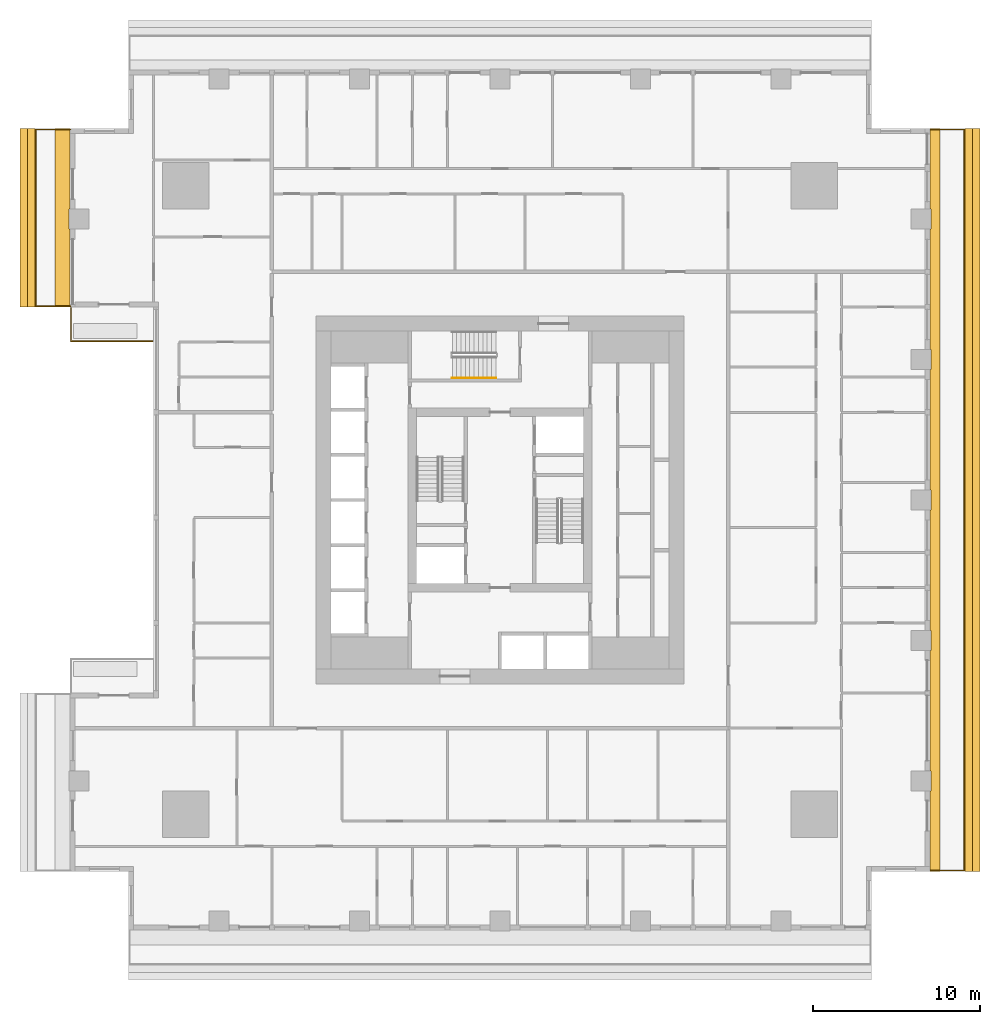
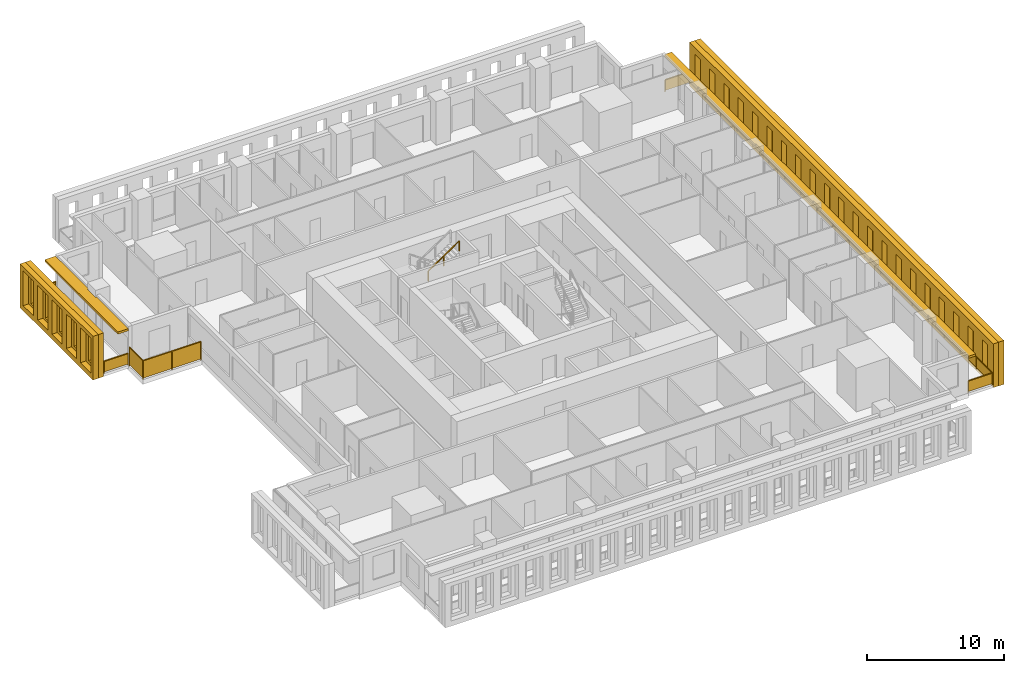
# One storey, part 12 of 14: 6 shading devices, 4 railings.
"""IFC4 building model written with IfcOpenShell, lengths in metres."""

from ifc_helpers import new_model, si_unit, direction, frame, origin, origin_2d, place, context, subcontext, project, spatial, polyline, rectangle, outline, extrude, material, layer, layer_set, type_object, element, save


model = new_model("IFC4")

# Units and contexts
model_context = context("Model", 3, precision=1e-05, world=origin(), true_north=direction((0.0, 1.0)))
body_context = subcontext(model_context, "Body", "Model", "MODEL_VIEW")
ifc_project = project(units=[si_unit("LENGTHUNIT", "METRE"), si_unit("AREAUNIT", "SQUARE_METRE"), si_unit("VOLUMEUNIT", "CUBIC_METRE"), si_unit("PLANEANGLEUNIT", "RADIAN"), si_unit("MASSUNIT", "GRAM", prefix="KILO")], contexts=[model_context])

# Site, building, storey
site_placement = place(None, origin())
site = spatial("IfcSite", under=ifc_project, at=site_placement, CompositionType="ELEMENT")
building_placement = place(site_placement, origin())
building = spatial("IfcBuilding", under=site, at=building_placement, Name="Khepri Terraces", CompositionType="ELEMENT")
storey_placement = place(building_placement, frame((0.0, 0.0, 110.39990234375)))
storey = spatial("IfcBuildingStorey", under=building, at=storey_placement, Name="L26", CompositionType="ELEMENT", Elevation=110.39990234375)

# Railings
ifc_material_1 = material(Name="Stainless steel grade 316", Category="steel")
railing_type_1 = type_object("IfcRailingType", Name="GRD-BAL-1100", PredefinedType="GUARDRAIL", material=ifc_material_1)
railing_1_placement = place(storey_placement, frame((25.719970703125, -22.169921875, 0.0)))
element("IfcRailing", 1, at=railing_1_placement, inside=storey, type_object=railing_type_1, Name="Balcony guard L26 E", PredefinedType="GUARDRAIL", context=body_context, shape_type="SweptSolid", body=[
    extrude(rectangle(XDim=0.050048828125, YDim=0.06005859375, at=origin_2d()), frame((0.0, 0.0, 1.070068359375), z_axis=(1.0, 0.0, 0.0), x_axis=(0.0, 1.0, 0.0)), (0.0, 0.0, 1.0), 2.050048828125),
    extrude(rectangle(XDim=2.0, YDim=0.011962890625, at=origin_2d()), frame((1.02490234375, 0.0, 0.10009765625), z_axis=(0.0, 0.0, 1.0), x_axis=(1.0, 0.0, 0.0)), (0.0, 0.0, 1.0), 0.93994140625),
    extrude(rectangle(XDim=0.050048828125, YDim=0.06005859375, at=origin_2d()), frame((2.050048828125, 0.0, 1.070068359375), z_axis=(0.0, 1.0, 0.0), x_axis=(-1.0, 0.0, 0.0)), (0.0, 0.0, 1.0), 44.33984375),
    extrude(rectangle(XDim=2.28369140625, YDim=0.011962890625, at=origin_2d()), frame((2.050048828125, 1.166748046875, 0.10009765625), z_axis=(0.0, 0.0, 1.0), x_axis=(0.0, 1.0, 0.0)), (0.0, 0.0, 1.0), 0.93994140625),
    extrude(rectangle(XDim=2.28369140625, YDim=0.011962890625, at=origin_2d()), frame((2.050048828125, 3.50048828125, 0.10009765625), z_axis=(0.0, 0.0, 1.0), x_axis=(0.0, 1.0, 0.0)), (0.0, 0.0, 1.0), 0.93994140625),
    extrude(rectangle(XDim=2.28369140625, YDim=0.011962890625, at=origin_2d()), frame((2.050048828125, 5.834228515625, 0.10009765625), z_axis=(0.0, 0.0, 1.0), x_axis=(0.0, 1.0, 0.0)), (0.0, 0.0, 1.0), 0.93994140625),
    extrude(rectangle(XDim=2.28369140625, YDim=0.011962890625, at=origin_2d()), frame((2.050048828125, 8.16796875, 0.10009765625), z_axis=(0.0, 0.0, 1.0), x_axis=(0.0, 1.0, 0.0)), (0.0, 0.0, 1.0), 0.93994140625),
    extrude(rectangle(XDim=2.28369140625, YDim=0.011962890625, at=origin_2d()), frame((2.050048828125, 10.50146484375, 0.10009765625), z_axis=(0.0, 0.0, 1.0), x_axis=(0.0, 1.0, 0.0)), (0.0, 0.0, 1.0), 0.93994140625),
    extrude(rectangle(XDim=2.28369140625, YDim=0.011962890625, at=origin_2d()), frame((2.050048828125, 12.835205078125, 0.10009765625), z_axis=(0.0, 0.0, 1.0), x_axis=(0.0, 1.0, 0.0)), (0.0, 0.0, 1.0), 0.93994140625),
    extrude(rectangle(XDim=2.28369140625, YDim=0.011962890625, at=origin_2d()), frame((2.050048828125, 15.1689453125, 0.10009765625), z_axis=(0.0, 0.0, 1.0), x_axis=(0.0, 1.0, 0.0)), (0.0, 0.0, 1.0), 0.93994140625),
    extrude(rectangle(XDim=2.28369140625, YDim=0.011962890625, at=origin_2d()), frame((2.050048828125, 17.502685546875, 0.10009765625), z_axis=(0.0, 0.0, 1.0), x_axis=(0.0, 1.0, 0.0)), (0.0, 0.0, 1.0), 0.93994140625),
    extrude(rectangle(XDim=2.28369140625, YDim=0.011962890625, at=origin_2d()), frame((2.050048828125, 19.836181640625, 0.10009765625), z_axis=(0.0, 0.0, 1.0), x_axis=(0.0, 1.0, 0.0)), (0.0, 0.0, 1.0), 0.93994140625),
    extrude(rectangle(XDim=2.28369140625, YDim=0.011962890625, at=origin_2d()), frame((2.050048828125, 22.169921875, 0.10009765625), z_axis=(0.0, 0.0, 1.0), x_axis=(0.0, 1.0, 0.0)), (0.0, 0.0, 1.0), 0.93994140625),
    extrude(rectangle(XDim=2.28369140625, YDim=0.011962890625, at=origin_2d()), frame((2.050048828125, 24.503662109375, 0.10009765625), z_axis=(0.0, 0.0, 1.0), x_axis=(0.0, 1.0, 0.0)), (0.0, 0.0, 1.0), 0.93994140625),
    extrude(rectangle(XDim=2.28369140625, YDim=0.011962890625, at=origin_2d()), frame((2.050048828125, 26.837158203125, 0.10009765625), z_axis=(0.0, 0.0, 1.0), x_axis=(0.0, 1.0, 0.0)), (0.0, 0.0, 1.0), 0.93994140625),
    extrude(rectangle(XDim=2.28369140625, YDim=0.011962890625, at=origin_2d()), frame((2.050048828125, 29.1708984375, 0.10009765625), z_axis=(0.0, 0.0, 1.0), x_axis=(0.0, 1.0, 0.0)), (0.0, 0.0, 1.0), 0.93994140625),
    extrude(rectangle(XDim=2.28369140625, YDim=0.011962890625, at=origin_2d()), frame((2.050048828125, 31.504638671875, 0.10009765625), z_axis=(0.0, 0.0, 1.0), x_axis=(0.0, 1.0, 0.0)), (0.0, 0.0, 1.0), 0.93994140625),
    extrude(rectangle(XDim=2.28369140625, YDim=0.011962890625, at=origin_2d()), frame((2.050048828125, 33.83837890625, 0.10009765625), z_axis=(0.0, 0.0, 1.0), x_axis=(0.0, 1.0, 0.0)), (0.0, 0.0, 1.0), 0.93994140625),
    extrude(rectangle(XDim=2.28369140625, YDim=0.011962890625, at=origin_2d()), frame((2.050048828125, 36.171875, 0.10009765625), z_axis=(0.0, 0.0, 1.0), x_axis=(0.0, 1.0, 0.0)), (0.0, 0.0, 1.0), 0.93994140625),
    extrude(rectangle(XDim=2.28369140625, YDim=0.011962890625, at=origin_2d()), frame((2.050048828125, 38.505615234375, 0.10009765625), z_axis=(0.0, 0.0, 1.0), x_axis=(0.0, 1.0, 0.0)), (0.0, 0.0, 1.0), 0.93994140625),
    extrude(rectangle(XDim=2.28369140625, YDim=0.011962890625, at=origin_2d()), frame((2.050048828125, 40.83935546875, 0.10009765625), z_axis=(0.0, 0.0, 1.0), x_axis=(0.0, 1.0, 0.0)), (0.0, 0.0, 1.0), 0.93994140625),
    extrude(rectangle(XDim=2.28369140625, YDim=0.011962890625, at=origin_2d()), frame((2.050048828125, 43.173095703125, 0.10009765625), z_axis=(0.0, 0.0, 1.0), x_axis=(0.0, 1.0, 0.0)), (0.0, 0.0, 1.0), 0.93994140625),
    extrude(rectangle(XDim=0.050048828125, YDim=0.06005859375, at=origin_2d()), frame((2.050048828125, 44.33984375, 1.070068359375), z_axis=(-1.0, 0.0, 0.0), x_axis=(0.0, -1.0, 0.0)), (0.0, 0.0, 1.0), 2.050048828125),
    extrude(rectangle(XDim=2.0, YDim=0.011962890625, at=origin_2d()), frame((1.02490234375, 44.33984375, 0.10009765625), z_axis=(0.0, 0.0, 1.0), x_axis=(-1.0, 0.0, 0.0)), (0.0, 0.0, 1.0), 0.93994140625),
    extrude(rectangle(XDim=0.050048828125, YDim=0.050048828125, at=origin_2d()), origin(), (0.0, 0.0, 1.0), 1.0400390625),
    extrude(rectangle(XDim=0.050048828125, YDim=0.050048828125, at=origin_2d()), frame((2.050048828125, 0.0, 0.0)), (0.0, 0.0, 1.0), 1.0400390625),
    extrude(rectangle(XDim=0.050048828125, YDim=0.050048828125, at=origin_2d()), frame((2.050048828125, 2.333740234375, 0.0)), (0.0, 0.0, 1.0), 1.0400390625),
    extrude(rectangle(XDim=0.050048828125, YDim=0.050048828125, at=origin_2d()), frame((2.050048828125, 4.667236328125, 0.0)), (0.0, 0.0, 1.0), 1.0400390625),
    extrude(rectangle(XDim=0.050048828125, YDim=0.050048828125, at=origin_2d()), frame((2.050048828125, 7.0009765625, 0.0)), (0.0, 0.0, 1.0), 1.0400390625),
    extrude(rectangle(XDim=0.050048828125, YDim=0.050048828125, at=origin_2d()), frame((2.050048828125, 9.334716796875, 0.0)), (0.0, 0.0, 1.0), 1.0400390625),
    extrude(rectangle(XDim=0.050048828125, YDim=0.050048828125, at=origin_2d()), frame((2.050048828125, 11.66845703125, 0.0)), (0.0, 0.0, 1.0), 1.0400390625),
    extrude(rectangle(XDim=0.050048828125, YDim=0.050048828125, at=origin_2d()), frame((2.050048828125, 14.001953125, 0.0)), (0.0, 0.0, 1.0), 1.0400390625),
    extrude(rectangle(XDim=0.050048828125, YDim=0.050048828125, at=origin_2d()), frame((2.050048828125, 16.335693359375, 0.0)), (0.0, 0.0, 1.0), 1.0400390625),
    extrude(rectangle(XDim=0.050048828125, YDim=0.050048828125, at=origin_2d()), frame((2.050048828125, 18.66943359375, 0.0)), (0.0, 0.0, 1.0), 1.0400390625),
    extrude(rectangle(XDim=0.050048828125, YDim=0.050048828125, at=origin_2d()), frame((2.050048828125, 21.003173828125, 0.0)), (0.0, 0.0, 1.0), 1.0400390625),
    extrude(rectangle(XDim=0.050048828125, YDim=0.050048828125, at=origin_2d()), frame((2.050048828125, 23.336669921875, 0.0)), (0.0, 0.0, 1.0), 1.0400390625),
    extrude(rectangle(XDim=0.050048828125, YDim=0.050048828125, at=origin_2d()), frame((2.050048828125, 25.67041015625, 0.0)), (0.0, 0.0, 1.0), 1.0400390625),
    extrude(rectangle(XDim=0.050048828125, YDim=0.050048828125, at=origin_2d()), frame((2.050048828125, 28.004150390625, 0.0)), (0.0, 0.0, 1.0), 1.0400390625),
    extrude(rectangle(XDim=0.050048828125, YDim=0.050048828125, at=origin_2d()), frame((2.050048828125, 30.337890625, 0.0)), (0.0, 0.0, 1.0), 1.0400390625),
    extrude(rectangle(XDim=0.050048828125, YDim=0.050048828125, at=origin_2d()), frame((2.050048828125, 32.67138671875, 0.0)), (0.0, 0.0, 1.0), 1.0400390625),
    extrude(rectangle(XDim=0.050048828125, YDim=0.050048828125, at=origin_2d()), frame((2.050048828125, 35.005126953125, 0.0)), (0.0, 0.0, 1.0), 1.0400390625),
    extrude(rectangle(XDim=0.050048828125, YDim=0.050048828125, at=origin_2d()), frame((2.050048828125, 37.3388671875, 0.0)), (0.0, 0.0, 1.0), 1.0400390625),
    extrude(rectangle(XDim=0.050048828125, YDim=0.050048828125, at=origin_2d()), frame((2.050048828125, 39.672607421875, 0.0)), (0.0, 0.0, 1.0), 1.0400390625),
    extrude(rectangle(XDim=0.050048828125, YDim=0.050048828125, at=origin_2d()), frame((2.050048828125, 42.006103515625, 0.0)), (0.0, 0.0, 1.0), 1.0400390625),
    extrude(rectangle(XDim=0.050048828125, YDim=0.050048828125, at=origin_2d()), frame((2.050048828125, 44.33984375, 0.0)), (0.0, 0.0, 1.0), 1.0400390625),
    extrude(rectangle(XDim=0.050048828125, YDim=0.050048828125, at=origin_2d()), frame((0.0, 44.33984375, 0.0)), (0.0, 0.0, 1.0), 1.0400390625),
])
railing_2_placement = place(storey_placement, frame((-25.719970703125, 22.169921875, 0.0)))
element("IfcRailing", 2, at=railing_2_placement, inside=storey, type_object=railing_type_1, Name="Balcony guard L26 W", PredefinedType="GUARDRAIL", context=body_context, shape_type="SweptSolid", body=[
    extrude(rectangle(XDim=0.050048828125, YDim=0.06005859375, at=origin_2d()), frame((0.0, 0.0, 1.070068359375), z_axis=(-1.0, 0.0, 0.0), x_axis=(0.0, -1.0, 0.0)), (0.0, 0.0, 1.0), 2.050048828125),
    extrude(rectangle(XDim=2.0, YDim=0.011962890625, at=origin_2d()), frame((-1.02490234375, 0.0, 0.10009765625), z_axis=(0.0, 0.0, 1.0), x_axis=(-1.0, 0.0, 0.0)), (0.0, 0.0, 1.0), 0.93994140625),
    extrude(rectangle(XDim=0.050048828125, YDim=0.06005859375, at=origin_2d()), frame((-2.050048828125, 0.0, 1.070068359375), z_axis=(0.0, -1.0, 0.0), x_axis=(1.0, 0.0, 0.0)), (0.0, 0.0, 1.0), 10.56982421875),
    extrude(rectangle(XDim=2.06396484375, YDim=0.011962890625, at=origin_2d()), frame((-2.050048828125, -1.056884765625, 0.10009765625), z_axis=(0.0, 0.0, 1.0), x_axis=(0.0, -1.0, 0.0)), (0.0, 0.0, 1.0), 0.93994140625),
    extrude(rectangle(XDim=2.06396484375, YDim=0.011962890625, at=origin_2d()), frame((-2.050048828125, -3.1708984375, 0.10009765625), z_axis=(0.0, 0.0, 1.0), x_axis=(0.0, -1.0, 0.0)), (0.0, 0.0, 1.0), 0.93994140625),
    extrude(rectangle(XDim=2.06396484375, YDim=0.011962890625, at=origin_2d()), frame((-2.050048828125, -5.284912109375, 0.10009765625), z_axis=(0.0, 0.0, 1.0), x_axis=(0.0, -1.0, 0.0)), (0.0, 0.0, 1.0), 0.93994140625),
    extrude(rectangle(XDim=2.06396484375, YDim=0.011962890625, at=origin_2d()), frame((-2.050048828125, -7.39892578125, 0.10009765625), z_axis=(0.0, 0.0, 1.0), x_axis=(0.0, -1.0, 0.0)), (0.0, 0.0, 1.0), 0.93994140625),
    extrude(rectangle(XDim=2.06396484375, YDim=0.011962890625, at=origin_2d()), frame((-2.050048828125, -9.512939453125, 0.10009765625), z_axis=(0.0, 0.0, 1.0), x_axis=(0.0, -1.0, 0.0)), (0.0, 0.0, 1.0), 0.93994140625),
    extrude(rectangle(XDim=0.050048828125, YDim=0.06005859375, at=origin_2d()), frame((-2.050048828125, -10.56982421875, 1.070068359375), z_axis=(1.0, 0.0, 0.0), x_axis=(0.0, 1.0, 0.0)), (0.0, 0.0, 1.0), 2.050048828125),
    extrude(rectangle(XDim=2.0, YDim=0.011962890625, at=origin_2d()), frame((-1.02490234375, -10.56982421875, 0.10009765625), z_axis=(0.0, 0.0, 1.0), x_axis=(1.0, 0.0, 0.0)), (0.0, 0.0, 1.0), 0.93994140625),
    extrude(rectangle(XDim=0.050048828125, YDim=0.050048828125, at=origin_2d()), origin(), (0.0, 0.0, 1.0), 1.0400390625),
    extrude(rectangle(XDim=0.050048828125, YDim=0.050048828125, at=origin_2d()), frame((-2.050048828125, 0.0, 0.0)), (0.0, 0.0, 1.0), 1.0400390625),
    extrude(rectangle(XDim=0.050048828125, YDim=0.050048828125, at=origin_2d()), frame((-2.050048828125, -2.114013671875, 0.0)), (0.0, 0.0, 1.0), 1.0400390625),
    extrude(rectangle(XDim=0.050048828125, YDim=0.050048828125, at=origin_2d()), frame((-2.050048828125, -4.22802734375, 0.0)), (0.0, 0.0, 1.0), 1.0400390625),
    extrude(rectangle(XDim=0.050048828125, YDim=0.050048828125, at=origin_2d()), frame((-2.050048828125, -6.341796875, 0.0)), (0.0, 0.0, 1.0), 1.0400390625),
    extrude(rectangle(XDim=0.050048828125, YDim=0.050048828125, at=origin_2d()), frame((-2.050048828125, -8.455810546875, 0.0)), (0.0, 0.0, 1.0), 1.0400390625),
    extrude(rectangle(XDim=0.050048828125, YDim=0.050048828125, at=origin_2d()), frame((-2.050048828125, -10.56982421875, 0.0)), (0.0, 0.0, 1.0), 1.0400390625),
    extrude(rectangle(XDim=0.050048828125, YDim=0.050048828125, at=origin_2d()), frame((0.0, -10.56982421875, 0.0)), (0.0, 0.0, 1.0), 1.0400390625),
])
railing_type_2 = type_object("IfcRailingType", Name="GRD-TERR-1700", PredefinedType="GUARDRAIL", material=ifc_material_1)
railing_3_placement = place(storey_placement, frame((-20.7900390625, 9.5, 0.0)))
element("IfcRailing", 3, at=railing_3_placement, inside=storey, type_object=railing_type_2, Name="Terrace guard L26", PredefinedType="GUARDRAIL", context=body_context, shape_type="SweptSolid", body=[
    extrude(rectangle(XDim=0.050048828125, YDim=0.06005859375, at=origin_2d()), frame((0.0, 0.0, 1.669921875), z_axis=(-1.0, 0.0, 0.0), x_axis=(0.0, -1.0, 0.0)), (0.0, 0.0, 1.0), 4.8798828125),
    extrude(rectangle(XDim=2.389892578125, YDim=0.011962890625, at=origin_2d()), frame((-1.219970703125, 0.0, 0.10009765625), z_axis=(0.0, 0.0, 1.0), x_axis=(-1.0, 0.0, 0.0)), (0.0, 0.0, 1.0), 1.539794921875),
    extrude(rectangle(XDim=2.389892578125, YDim=0.011962890625, at=origin_2d()), frame((-3.659912109375, 0.0, 0.10009765625), z_axis=(0.0, 0.0, 1.0), x_axis=(-1.0, 0.0, 0.0)), (0.0, 0.0, 1.0), 1.539794921875),
    extrude(rectangle(XDim=0.050048828125, YDim=0.06005859375, at=origin_2d()), frame((-4.8798828125, 0.0, 1.669921875), z_axis=(0.0, 1.0, 0.0), x_axis=(-1.0, 0.0, 0.0)), (0.0, 0.0, 1.0), 1.97998046875),
    extrude(rectangle(XDim=1.929931640625, YDim=0.011962890625, at=origin_2d()), frame((-4.8798828125, 0.989990234375, 0.10009765625), z_axis=(0.0, 0.0, 1.0), x_axis=(0.0, 1.0, 0.0)), (0.0, 0.0, 1.0), 1.539794921875),
    extrude(rectangle(XDim=0.050048828125, YDim=0.050048828125, at=origin_2d()), origin(), (0.0, 0.0, 1.0), 1.639892578125),
    extrude(rectangle(XDim=0.050048828125, YDim=0.050048828125, at=origin_2d()), frame((-2.43994140625, 0.0, 0.0)), (0.0, 0.0, 1.0), 1.639892578125),
    extrude(rectangle(XDim=0.050048828125, YDim=0.050048828125, at=origin_2d()), frame((-4.8798828125, 0.0, 0.0)), (0.0, 0.0, 1.0), 1.639892578125),
    extrude(rectangle(XDim=0.050048828125, YDim=0.050048828125, at=origin_2d()), frame((-4.8798828125, 1.97998046875, 0.0)), (0.0, 0.0, 1.0), 1.639892578125),
])
ifc_material_2 = material(Name="Stainless steel 316", Category="steel")
railing_type_3 = type_object("IfcRailingType", Name="RL-CORE-HANDRAIL", PredefinedType="HANDRAIL", material=ifc_material_2)
railing_4_placement = place(storey_placement, frame((-2.85009765625, 7.300048828125, 2.12744140625)))
element("IfcRailing", 4, at=railing_4_placement, inside=storey, type_object=railing_type_3, Name="L26 ST-3 stair handrail 2", PredefinedType="HANDRAIL", context=body_context, shape_type="SweptSolid", body=[
    extrude(rectangle(XDim=0.050048828125, YDim=0.050048828125, at=origin_2d()), frame((0.0, 0.0, 0.875), z_axis=(0.826240473404, 0.0, 0.563317565952), x_axis=(0.0, 1.0, 0.0)), (0.0, 0.0, 1.0), 3.14697265625),
    extrude(rectangle(XDim=0.050048828125, YDim=0.050048828125, at=origin_2d()), origin(), (0.0, 0.0, 1.0), 0.849853515625),
    extrude(rectangle(XDim=0.050048828125, YDim=0.050048828125, at=origin_2d()), frame((1.300048828125, 0.0, 0.88623046875)), (0.0, 0.0, 1.0), 0.849853515625),
    extrude(rectangle(XDim=0.050048828125, YDim=0.050048828125, at=origin_2d()), frame((2.60009765625, 0.0, 1.772705078125)), (0.0, 0.0, 1.0), 0.849853515625),
])

# Shading devices
ifc_material_3 = material(Name="Precast concrete C50/60 warm stone", Category="masonry")
shading_device_type_1 = type_object("IfcShadingDeviceType", Name="SCR-CELL-INNER-450", PredefinedType="USERDEFINED", material=ifc_material_3)
shading_device_1_placement = place(storey_placement, frame((27.820068359375, -22.219970703125, -0.25), z_axis=(1.0, 0.0, 0.0), x_axis=(0.0, 1.0, 0.0)))
element("IfcShadingDevice", 5, at=shading_device_1_placement, inside=storey, type_object=shading_device_type_1, Name="Cell screen L26 E in", ObjectType="SCREEN", PredefinedType="USERDEFINED", context=body_context, shape_type="SweptSolid", body=[
    extrude(outline(polyline([(0.0, 0.0), (44.43994140625, 0.0), (44.43994140625, 3.89990234375), (0.0, 3.89990234375), (0.0, 0.0)]), holes=[polyline([(0.818359375, 0.699951171875), (1.62158203125, 0.699951171875), (1.62158203125, 3.300048828125), (0.818359375, 3.300048828125), (0.818359375, 0.699951171875)]), polyline([(2.91845703125, 0.699951171875), (3.7216796875, 0.699951171875), (3.7216796875, 3.300048828125), (2.91845703125, 3.300048828125), (2.91845703125, 0.699951171875)]), polyline([(5.018310546875, 0.699951171875), (5.821533203125, 0.699951171875), (5.821533203125, 3.300048828125), (5.018310546875, 3.300048828125), (5.018310546875, 0.699951171875)]), polyline([(7.118408203125, 0.699951171875), (7.921630859375, 0.699951171875), (7.921630859375, 3.300048828125), (7.118408203125, 3.300048828125), (7.118408203125, 0.699951171875)]), polyline([(9.218505859375, 0.699951171875), (10.021484375, 0.699951171875), (10.021484375, 3.300048828125), (9.218505859375, 3.300048828125), (9.218505859375, 0.699951171875)]), polyline([(11.318359375, 0.699951171875), (12.12158203125, 0.699951171875), (12.12158203125, 3.300048828125), (11.318359375, 3.300048828125), (11.318359375, 0.699951171875)]), polyline([(13.41845703125, 0.699951171875), (14.2216796875, 0.699951171875), (14.2216796875, 3.300048828125), (13.41845703125, 3.300048828125), (13.41845703125, 0.699951171875)]), polyline([(15.518310546875, 0.699951171875), (16.321533203125, 0.699951171875), (16.321533203125, 3.300048828125), (15.518310546875, 3.300048828125), (15.518310546875, 0.699951171875)]), polyline([(17.618408203125, 0.699951171875), (18.421630859375, 0.699951171875), (18.421630859375, 3.300048828125), (17.618408203125, 3.300048828125), (17.618408203125, 0.699951171875)]), polyline([(19.718505859375, 0.699951171875), (20.521484375, 0.699951171875), (20.521484375, 3.300048828125), (19.718505859375, 3.300048828125), (19.718505859375, 0.699951171875)]), polyline([(21.818359375, 0.699951171875), (22.62158203125, 0.699951171875), (22.62158203125, 3.300048828125), (21.818359375, 3.300048828125), (21.818359375, 0.699951171875)]), polyline([(23.91845703125, 0.699951171875), (24.7216796875, 0.699951171875), (24.7216796875, 3.300048828125), (23.91845703125, 3.300048828125), (23.91845703125, 0.699951171875)]), polyline([(26.018310546875, 0.699951171875), (26.821533203125, 0.699951171875), (26.821533203125, 3.300048828125), (26.018310546875, 3.300048828125), (26.018310546875, 0.699951171875)]), polyline([(28.118408203125, 0.699951171875), (28.921630859375, 0.699951171875), (28.921630859375, 3.300048828125), (28.118408203125, 3.300048828125), (28.118408203125, 0.699951171875)]), polyline([(30.218505859375, 0.699951171875), (31.021484375, 0.699951171875), (31.021484375, 3.300048828125), (30.218505859375, 3.300048828125), (30.218505859375, 0.699951171875)]), polyline([(32.318359375, 0.699951171875), (33.12158203125, 0.699951171875), (33.12158203125, 3.300048828125), (32.318359375, 3.300048828125), (32.318359375, 0.699951171875)]), polyline([(34.41845703125, 0.699951171875), (35.2216796875, 0.699951171875), (35.2216796875, 3.300048828125), (34.41845703125, 3.300048828125), (34.41845703125, 0.699951171875)]), polyline([(36.518310546875, 0.699951171875), (37.321533203125, 0.699951171875), (37.321533203125, 3.300048828125), (36.518310546875, 3.300048828125), (36.518310546875, 0.699951171875)]), polyline([(38.618408203125, 0.699951171875), (39.421630859375, 0.699951171875), (39.421630859375, 3.300048828125), (38.618408203125, 3.300048828125), (38.618408203125, 0.699951171875)]), polyline([(40.718505859375, 0.699951171875), (41.521484375, 0.699951171875), (41.521484375, 3.300048828125), (40.718505859375, 3.300048828125), (40.718505859375, 0.699951171875)]), polyline([(42.818359375, 0.699951171875), (43.62158203125, 0.699951171875), (43.62158203125, 3.300048828125), (42.818359375, 3.300048828125), (42.818359375, 0.699951171875)])]), origin(), (0.0, 0.0, 1.0), 0.449951171875),
])
shading_device_2_placement = place(storey_placement, frame((-27.820068359375, 22.219970703125, -0.25), z_axis=(-1.0, 0.0, 0.0), x_axis=(0.0, -1.0, 0.0)))
element("IfcShadingDevice", 6, at=shading_device_2_placement, inside=storey, type_object=shading_device_type_1, Name="Cell screen L26 W in", ObjectType="SCREEN", PredefinedType="USERDEFINED", context=body_context, shape_type="SweptSolid", body=[
    extrude(outline(polyline([(0.0, 0.0), (10.669921875, 0.0), (10.669921875, 3.89990234375), (0.0, 3.89990234375), (0.0, 0.0)]), holes=[polyline([(0.818359375, 0.699951171875), (1.62158203125, 0.699951171875), (1.62158203125, 3.300048828125), (0.818359375, 3.300048828125), (0.818359375, 0.699951171875)]), polyline([(2.91845703125, 0.699951171875), (3.7216796875, 0.699951171875), (3.7216796875, 3.300048828125), (2.91845703125, 3.300048828125), (2.91845703125, 0.699951171875)]), polyline([(5.018310546875, 0.699951171875), (5.821533203125, 0.699951171875), (5.821533203125, 3.300048828125), (5.018310546875, 3.300048828125), (5.018310546875, 0.699951171875)]), polyline([(7.118408203125, 0.699951171875), (7.921630859375, 0.699951171875), (7.921630859375, 3.300048828125), (7.118408203125, 3.300048828125), (7.118408203125, 0.699951171875)]), polyline([(9.218505859375, 0.699951171875), (10.021484375, 0.699951171875), (10.021484375, 3.300048828125), (9.218505859375, 3.300048828125), (9.218505859375, 0.699951171875)])]), origin(), (0.0, 0.0, 1.0), 0.449951171875),
])
shading_device_type_2 = type_object("IfcShadingDeviceType", Name="SCR-CELL-OUTER-450", PredefinedType="USERDEFINED", material=ifc_material_3)
shading_device_3_placement = place(storey_placement, frame((28.27001953125, -22.219970703125, -0.25), z_axis=(1.0, 0.0, 0.0), x_axis=(0.0, 1.0, 0.0)))
element("IfcShadingDevice", 7, at=shading_device_3_placement, inside=storey, type_object=shading_device_type_2, Name="Cell screen L26 E out", ObjectType="SCREEN", PredefinedType="USERDEFINED", context=body_context, shape_type="SweptSolid", body=[
    extrude(outline(polyline([(0.0, 0.0), (44.43994140625, 0.0), (44.43994140625, 3.89990234375), (0.0, 3.89990234375), (0.0, 0.0)]), holes=[polyline([(0.468505859375, 0.449951171875), (1.9716796875, 0.449951171875), (1.9716796875, 3.550048828125), (0.468505859375, 3.550048828125), (0.468505859375, 0.449951171875)]), polyline([(2.568359375, 0.449951171875), (4.071533203125, 0.449951171875), (4.071533203125, 3.550048828125), (2.568359375, 3.550048828125), (2.568359375, 0.449951171875)]), polyline([(4.66845703125, 0.449951171875), (6.171630859375, 0.449951171875), (6.171630859375, 3.550048828125), (4.66845703125, 3.550048828125), (4.66845703125, 0.449951171875)]), polyline([(6.768310546875, 0.449951171875), (8.271484375, 0.449951171875), (8.271484375, 3.550048828125), (6.768310546875, 3.550048828125), (6.768310546875, 0.449951171875)]), polyline([(8.868408203125, 0.449951171875), (10.37158203125, 0.449951171875), (10.37158203125, 3.550048828125), (8.868408203125, 3.550048828125), (8.868408203125, 0.449951171875)]), polyline([(10.968505859375, 0.449951171875), (12.4716796875, 0.449951171875), (12.4716796875, 3.550048828125), (10.968505859375, 3.550048828125), (10.968505859375, 0.449951171875)]), polyline([(13.068359375, 0.449951171875), (14.571533203125, 0.449951171875), (14.571533203125, 3.550048828125), (13.068359375, 3.550048828125), (13.068359375, 0.449951171875)]), polyline([(15.16845703125, 0.449951171875), (16.671630859375, 0.449951171875), (16.671630859375, 3.550048828125), (15.16845703125, 3.550048828125), (15.16845703125, 0.449951171875)]), polyline([(17.268310546875, 0.449951171875), (18.771484375, 0.449951171875), (18.771484375, 3.550048828125), (17.268310546875, 3.550048828125), (17.268310546875, 0.449951171875)]), polyline([(19.368408203125, 0.449951171875), (20.87158203125, 0.449951171875), (20.87158203125, 3.550048828125), (19.368408203125, 3.550048828125), (19.368408203125, 0.449951171875)]), polyline([(21.468505859375, 0.449951171875), (22.9716796875, 0.449951171875), (22.9716796875, 3.550048828125), (21.468505859375, 3.550048828125), (21.468505859375, 0.449951171875)]), polyline([(23.568359375, 0.449951171875), (25.071533203125, 0.449951171875), (25.071533203125, 3.550048828125), (23.568359375, 3.550048828125), (23.568359375, 0.449951171875)]), polyline([(25.66845703125, 0.449951171875), (27.171630859375, 0.449951171875), (27.171630859375, 3.550048828125), (25.66845703125, 3.550048828125), (25.66845703125, 0.449951171875)]), polyline([(27.768310546875, 0.449951171875), (29.271484375, 0.449951171875), (29.271484375, 3.550048828125), (27.768310546875, 3.550048828125), (27.768310546875, 0.449951171875)]), polyline([(29.868408203125, 0.449951171875), (31.37158203125, 0.449951171875), (31.37158203125, 3.550048828125), (29.868408203125, 3.550048828125), (29.868408203125, 0.449951171875)]), polyline([(31.968505859375, 0.449951171875), (33.4716796875, 0.449951171875), (33.4716796875, 3.550048828125), (31.968505859375, 3.550048828125), (31.968505859375, 0.449951171875)]), polyline([(34.068359375, 0.449951171875), (35.571533203125, 0.449951171875), (35.571533203125, 3.550048828125), (34.068359375, 3.550048828125), (34.068359375, 0.449951171875)]), polyline([(36.16845703125, 0.449951171875), (37.671630859375, 0.449951171875), (37.671630859375, 3.550048828125), (36.16845703125, 3.550048828125), (36.16845703125, 0.449951171875)]), polyline([(38.268310546875, 0.449951171875), (39.771484375, 0.449951171875), (39.771484375, 3.550048828125), (38.268310546875, 3.550048828125), (38.268310546875, 0.449951171875)]), polyline([(40.368408203125, 0.449951171875), (41.87158203125, 0.449951171875), (41.87158203125, 3.550048828125), (40.368408203125, 3.550048828125), (40.368408203125, 0.449951171875)]), polyline([(42.468505859375, 0.449951171875), (43.9716796875, 0.449951171875), (43.9716796875, 3.550048828125), (42.468505859375, 3.550048828125), (42.468505859375, 0.449951171875)])]), origin(), (0.0, 0.0, 1.0), 0.449951171875),
])
shading_device_4_placement = place(storey_placement, frame((-28.27001953125, 22.219970703125, -0.25), z_axis=(-1.0, 0.0, 0.0), x_axis=(0.0, -1.0, 0.0)))
element("IfcShadingDevice", 8, at=shading_device_4_placement, inside=storey, type_object=shading_device_type_2, Name="Cell screen L26 W out", ObjectType="SCREEN", PredefinedType="USERDEFINED", context=body_context, shape_type="SweptSolid", body=[
    extrude(outline(polyline([(0.0, 0.0), (10.669921875, 0.0), (10.669921875, 3.89990234375), (0.0, 3.89990234375), (0.0, 0.0)]), holes=[polyline([(0.468505859375, 0.449951171875), (1.9716796875, 0.449951171875), (1.9716796875, 3.550048828125), (0.468505859375, 3.550048828125), (0.468505859375, 0.449951171875)]), polyline([(2.568359375, 0.449951171875), (4.071533203125, 0.449951171875), (4.071533203125, 3.550048828125), (2.568359375, 3.550048828125), (2.568359375, 0.449951171875)]), polyline([(4.66845703125, 0.449951171875), (6.171630859375, 0.449951171875), (6.171630859375, 3.550048828125), (4.66845703125, 3.550048828125), (4.66845703125, 0.449951171875)]), polyline([(6.768310546875, 0.449951171875), (8.271484375, 0.449951171875), (8.271484375, 3.550048828125), (6.768310546875, 3.550048828125), (6.768310546875, 0.449951171875)]), polyline([(8.868408203125, 0.449951171875), (10.37158203125, 0.449951171875), (10.37158203125, 3.550048828125), (8.868408203125, 3.550048828125), (8.868408203125, 0.449951171875)])]), origin(), (0.0, 0.0, 1.0), 0.449951171875),
])
ifc_layer_1 = layer(ifc_material_3, 0.199951171875, Name="Precast concrete C50/60 warm stone", Category="masonry")
ifc_layer_set_1 = layer_set([ifc_layer_1], Name="Precast concrete C50/60 warm stone")
shading_device_type_3 = type_object("IfcShadingDeviceType", Name="SSH-BAND-STONE-200", PredefinedType="USERDEFINED", material=ifc_layer_set_1)
shading_device_5_placement = place(storey_placement, frame((0.0, 0.0, 3.10009765625)))
element("IfcShadingDevice", 9, at=shading_device_5_placement, inside=storey, type_object=shading_device_type_3, Name="Sunshade band L26 W", ObjectType="SUNSHADE", PredefinedType="USERDEFINED", context=body_context, shape_type="SweptSolid", body=[
    extrude(outline(polyline([(-25.719970703125, 17.39990234375), (-25.719970703125, 22.219970703125), (-26.6201171875, 22.219970703125), (-26.6201171875, 11.550048828125), (-25.719970703125, 11.550048828125), (-25.719970703125, 16.199951171875), (-25.800048828125, 16.199951171875), (-25.800048828125, 17.39990234375), (-25.719970703125, 17.39990234375)])), origin(), (0.0, 0.0, 1.0), 0.199951171875),
])
ifc_layer_2 = layer(ifc_material_3, 0.199951171875, Name="Precast concrete C50/60 warm stone", Category="masonry")
ifc_layer_set_2 = layer_set([ifc_layer_2], Name="Precast concrete C50/60 warm stone")
shading_device_type_4 = type_object("IfcShadingDeviceType", Name="SSH-BAND-STONE-200-N", PredefinedType="USERDEFINED", material=ifc_layer_set_2)
shading_device_6_placement = place(storey_placement, frame((0.0, 0.0, 3.10009765625)))
element("IfcShadingDevice", 10, at=shading_device_6_placement, inside=storey, type_object=shading_device_type_4, Name="Sunshade band L26 E", ObjectType="SUNSHADE", PredefinedType="USERDEFINED", context=body_context, shape_type="SweptSolid", body=[
    extrude(outline(polyline([(25.719970703125, -17.39990234375), (25.719970703125, -22.219970703125), (26.320068359375, -22.219970703125), (26.320068359375, 22.219970703125), (25.719970703125, 22.219970703125), (25.719970703125, 17.39990234375), (25.800048828125, 17.39990234375), (25.800048828125, 16.199951171875), (25.719970703125, 16.199951171875), (25.719970703125, 9.0), (25.800048828125, 9.0), (25.800048828125, 7.800048828125), (25.719970703125, 7.800048828125), (25.719970703125, 0.60009765625), (25.800048828125, 0.60009765625), (25.800048828125, -0.60009765625), (25.719970703125, -0.60009765625), (25.719970703125, -7.800048828125), (25.800048828125, -7.800048828125), (25.800048828125, -9.0), (25.719970703125, -9.0), (25.719970703125, -16.199951171875), (25.800048828125, -16.199951171875), (25.800048828125, -17.39990234375), (25.719970703125, -17.39990234375)])), origin(), (0.0, 0.0, 1.0), 0.199951171875),
])

save(model, "model.ifc")
